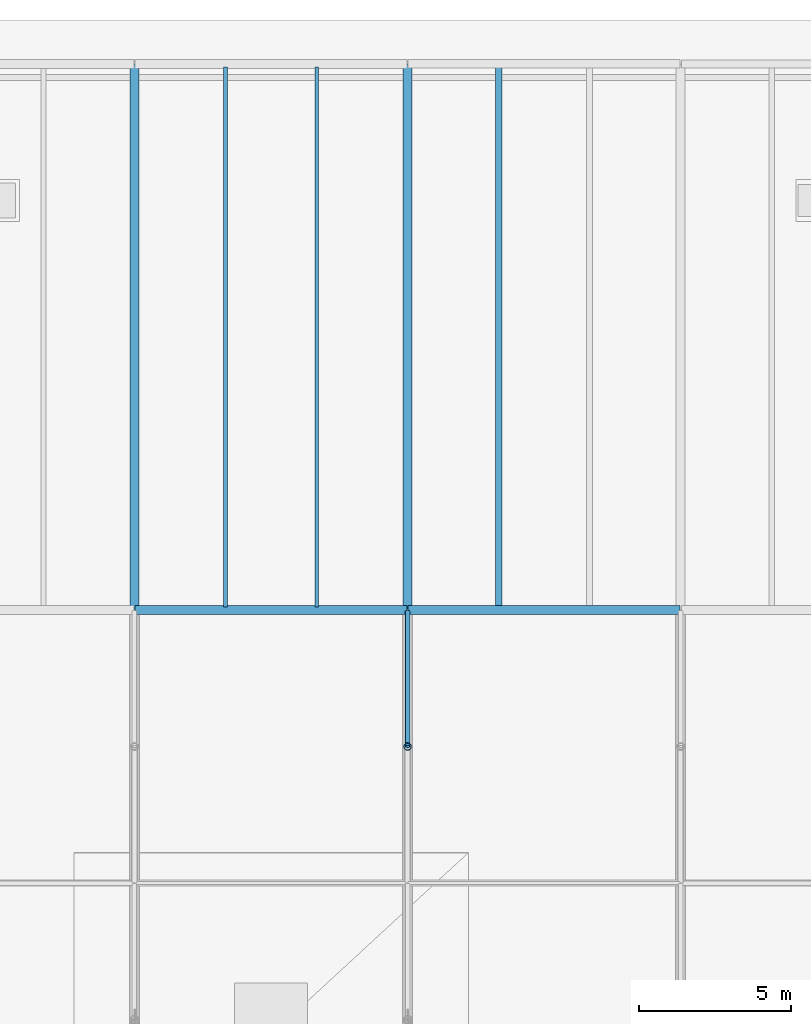
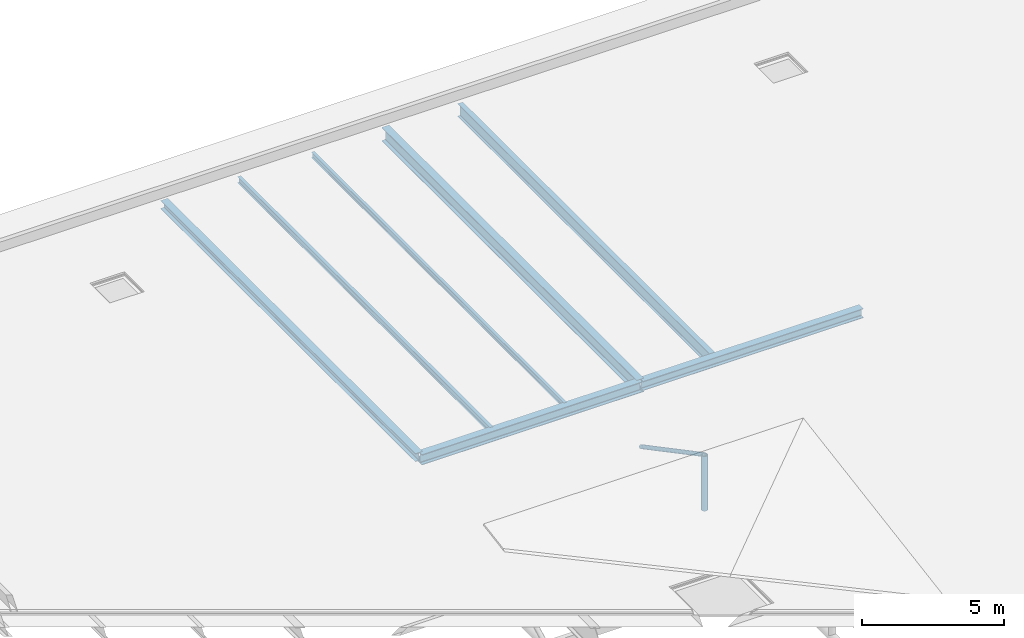
# One storey, part 68 of 196: 7 beams, 2 members.
"""IFC4 building model written with IfcOpenShell, lengths in metres."""

from ifc_helpers import new_model, si_unit, direction, frame, origin, origin_2d, place, context, subcontext, project, spatial, hollow_circle, i_section, extrude, material, material_profile, profile_set, type_object, element, save


model = new_model("IFC4")

# Units and contexts
model_context = context("Model", 3, precision=1e-05, world=origin(), true_north=direction((0.0, 1.0)))
body_context = subcontext(model_context, "Body", "Model", "MODEL_VIEW")
ifc_project = project(units=[si_unit("LENGTHUNIT", "METRE"), si_unit("AREAUNIT", "SQUARE_METRE"), si_unit("VOLUMEUNIT", "CUBIC_METRE"), si_unit("PLANEANGLEUNIT", "RADIAN"), si_unit("MASSUNIT", "GRAM", prefix="KILO")], contexts=[model_context])

# Site, building, storey
site_placement = place(None, origin())
site = spatial("IfcSite", under=ifc_project, at=site_placement, CompositionType="ELEMENT")
building_placement = place(site_placement, origin())
building = spatial("IfcBuilding", under=site, at=building_placement, Name="Barlavento Convention Centre", CompositionType="ELEMENT")
storey_placement = place(building_placement, frame((0.0, 0.0, 18.0)))
storey = spatial("IfcBuildingStorey", under=building, at=storey_placement, Name="L03", CompositionType="ELEMENT", Elevation=18.0)

# Beams
ifc_material = material(Name="Steel S355", Category="steel")
ifc_material_profile_1 = material_profile(ifc_material, i_section(OverallWidth=0.1201171875, OverallDepth=0.239990234375, WebThickness=0.006103515625, FlangeThickness=0.009765625, FilletRadius=0.014892578125, at=origin_2d()), Name="IPE 240")
ifc_profile_set_1 = profile_set([ifc_material_profile_1], Name="Steel S355")
beam_type_1 = type_object("IfcBeamType", Name="STR-BM-JST-IPE240", PredefinedType="JOIST", material=ifc_profile_set_1)
beam_1_placement = place(storey_placement, frame((24.0, 117.094970703125, -0.465087890625), z_axis=(0.0, 1.0, 0.0), x_axis=(-1.0, 0.0, 0.0)))
element("IfcBeam", 1, at=beam_1_placement, inside=storey, type_object=beam_type_1, Name="L03 composite floor joist SJ09", PredefinedType="JOIST", context=body_context, shape_type="SweptSolid", body=[
    extrude(i_section(OverallWidth=0.1201171875, OverallDepth=0.239990234375, WebThickness=0.006103515625, FlangeThickness=0.009765625, FilletRadius=0.014892578125, at=origin_2d()), origin(), (0.0, 0.0, 1.0), 17.81005859375),
])
ifc_material_profile_2 = material_profile(ifc_material, i_section(OverallWidth=0.135009765625, OverallDepth=0.27001953125, WebThickness=0.006591796875, FlangeThickness=0.01025390625, FilletRadius=0.014892578125, at=origin_2d()), Name="IPE 270")
ifc_profile_set_2 = profile_set([ifc_material_profile_2], Name="Steel S355")
beam_type_2 = type_object("IfcBeamType", Name="STR-BM-JST-IPE270", PredefinedType="JOIST", material=ifc_profile_set_2)
beam_2_placement = place(storey_placement, frame((21.0, 117.094970703125, -0.47998046875), z_axis=(0.0, 1.0, 0.0), x_axis=(-1.0, 0.0, 0.0)))
element("IfcBeam", 2, at=beam_2_placement, inside=storey, type_object=beam_type_2, Name="L03 composite floor joist SJ08", PredefinedType="JOIST", context=body_context, shape_type="SweptSolid", body=[
    extrude(i_section(OverallWidth=0.135009765625, OverallDepth=0.27001953125, WebThickness=0.006591796875, FlangeThickness=0.01025390625, FilletRadius=0.014892578125, at=origin_2d()), origin(), (0.0, 0.0, 1.0), 17.81005859375),
])
ifc_material_profile_3 = material_profile(ifc_material, i_section(OverallWidth=0.2099609375, OverallDepth=0.550048828125, WebThickness=0.010986328125, FlangeThickness=0.01708984375, FilletRadius=0.02392578125, at=origin_2d()), Name="IPE 550")
ifc_profile_set_3 = profile_set([ifc_material_profile_3], Name="Steel S355")
beam_type_3 = type_object("IfcBeamType", Name="STR-BM-JST-IPE550", PredefinedType="JOIST", material=ifc_profile_set_3)
beam_3_placement = place(storey_placement, frame((30.0, 117.094970703125, -0.6201171875), z_axis=(0.0, 1.0, 0.0), x_axis=(-1.0, 0.0, 0.0)))
element("IfcBeam", 3, at=beam_3_placement, inside=storey, type_object=beam_type_3, Name="L03 composite floor joist SJ01", PredefinedType="JOIST", context=body_context, shape_type="SweptSolid", body=[
    extrude(i_section(OverallWidth=0.2099609375, OverallDepth=0.550048828125, WebThickness=0.010986328125, FlangeThickness=0.01708984375, FilletRadius=0.02392578125, at=origin_2d()), origin(), (0.0, 0.0, 1.0), 17.81005859375),
])
ifc_material_profile_4 = material_profile(ifc_material, i_section(OverallWidth=0.300048828125, OverallDepth=0.35009765625, WebThickness=0.010009765625, FlangeThickness=0.017578125, FilletRadius=0.027099609375, at=origin_2d()), Name="HEA 360")
ifc_profile_set_4 = profile_set([ifc_material_profile_4], Name="Steel S355")
beam_type_4 = type_object("IfcBeamType", Name="STR-BM-PRI-HEA360", PredefinedType="BEAM", material=ifc_profile_set_4)
beam_4_placement = place(storey_placement, frame((18.0, 117.02001953125, -0.52001953125), z_axis=(0.0, 1.0, 0.0), x_axis=(-1.0, 0.0, 0.0)))
element("IfcBeam", 4, at=beam_4_placement, inside=storey, type_object=beam_type_4, Name="L03 grid girder BG23", PredefinedType="BEAM", context=body_context, shape_type="SweptSolid", body=[
    extrude(i_section(OverallWidth=0.300048828125, OverallDepth=0.35009765625, WebThickness=0.010009765625, FlangeThickness=0.017578125, FilletRadius=0.027099609375, at=origin_2d()), origin(), (0.0, 0.0, 1.0), 17.9599609375),
])
ifc_material_profile_5 = material_profile(ifc_material, i_section(OverallWidth=0.300048828125, OverallDepth=0.590087890625, WebThickness=0.012939453125, FlangeThickness=0.02490234375, FilletRadius=0.027099609375, at=origin_2d()), Name="HEA 600")
ifc_profile_set_5 = profile_set([ifc_material_profile_5], Name="Steel S355")
beam_type_5 = type_object("IfcBeamType", Name="STR-BM-PRI-HEA600", PredefinedType="BEAM", material=ifc_profile_set_5)
beam_5_placement = place(storey_placement, frame((27.0, 117.02001953125, -0.639892578125), z_axis=(0.0, 1.0, 0.0), x_axis=(-1.0, 0.0, 0.0)))
element("IfcBeam", 5, at=beam_5_placement, inside=storey, type_object=beam_type_5, Name="L03 grid girder BG18", PredefinedType="BEAM", context=body_context, shape_type="SweptSolid", body=[
    extrude(i_section(OverallWidth=0.300048828125, OverallDepth=0.590087890625, WebThickness=0.012939453125, FlangeThickness=0.02490234375, FilletRadius=0.027099609375, at=origin_2d()), origin(), (0.0, 0.0, 1.0), 17.9599609375),
])
ifc_material_profile_6 = material_profile(ifc_material, i_section(OverallWidth=0.300048828125, OverallDepth=0.39990234375, WebThickness=0.013427734375, FlangeThickness=0.02392578125, FilletRadius=0.027099609375, at=origin_2d()), Name="HEB 400")
ifc_profile_set_6 = profile_set([ifc_material_profile_6], Name="Steel S355")
beam_type_6 = type_object("IfcBeamType", Name="STR-BM-PRI-HEB400", PredefinedType="BEAM", material=ifc_profile_set_6)
beam_6_placement = place(storey_placement, frame((27.02001953125, 117.0, -0.544921875), z_axis=(1.0, 0.0, 0.0), x_axis=(0.0, 1.0, 0.0)))
element("IfcBeam", 6, at=beam_6_placement, inside=storey, type_object=beam_type_6, Name="L03 primary girder BG11", PredefinedType="BEAM", context=body_context, shape_type="SweptSolid", body=[
    extrude(i_section(OverallWidth=0.300048828125, OverallDepth=0.39990234375, WebThickness=0.013427734375, FlangeThickness=0.02392578125, FilletRadius=0.027099609375, at=origin_2d()), origin(), (0.0, 0.0, 1.0), 8.9599609375),
])
ifc_material_profile_7 = material_profile(ifc_material, i_section(OverallWidth=0.300048828125, OverallDepth=0.449951171875, WebThickness=0.013916015625, FlangeThickness=0.02587890625, FilletRadius=0.027099609375, at=origin_2d()), Name="HEB 450")
ifc_profile_set_7 = profile_set([ifc_material_profile_7], Name="Steel S355")
beam_type_7 = type_object("IfcBeamType", Name="STR-BM-PRI-HEB450", PredefinedType="BEAM", material=ifc_profile_set_7)
beam_7_placement = place(storey_placement, frame((18.02001953125, 117.0, -0.570068359375), z_axis=(1.0, 0.0, 0.0), x_axis=(0.0, 1.0, 0.0)))
element("IfcBeam", 7, at=beam_7_placement, inside=storey, type_object=beam_type_7, Name="L03 primary girder BG10", PredefinedType="BEAM", context=body_context, shape_type="SweptSolid", body=[
    extrude(i_section(OverallWidth=0.300048828125, OverallDepth=0.449951171875, WebThickness=0.013916015625, FlangeThickness=0.02587890625, FilletRadius=0.027099609375, at=origin_2d()), origin(), (0.0, 0.0, 1.0), 8.9599609375),
])

# Members
ifc_material_profile_8 = material_profile(ifc_material, hollow_circle(Radius=0.084228515625, WallThickness=0.010009765625, at=origin_2d()), Name="CHS 168.3x10.0")
ifc_profile_set_8 = profile_set([ifc_material_profile_8], Name="Steel S355")
member_type_1 = type_object("IfcMemberType", Name="STR-MEM-DIAG-CHS168", PredefinedType="POST", material=ifc_profile_set_8)
member_1_placement = place(storey_placement, frame((27.0, 112.5, -0.844970703125), z_axis=(0.0, 0.883859857229, -0.467751806816), x_axis=(-1.0, 0.0, 0.0)))
element("IfcMember", 8, at=member_1_placement, inside=storey, type_object=member_type_1, Name="Exhibition space frame web diagonal", PredefinedType="POST", context=body_context, shape_type="SweptSolid", body=[
    extrude(hollow_circle(Radius=0.084228515625, WallThickness=0.010009765625, at=origin_2d()), origin(), (0.0, 0.0, 1.0), 5.03466796875),
])
ifc_material_profile_9 = material_profile(ifc_material, hollow_circle(Radius=0.122314453125, WallThickness=0.012451171875, at=origin_2d()), Name="CHS 244.5x12.5")
ifc_profile_set_9 = profile_set([ifc_material_profile_9], Name="Steel S355")
member_type_2 = type_object("IfcMemberType", Name="STR-MEM-STRUT-CHS244", PredefinedType="STRUT", material=ifc_profile_set_9)
member_2_placement = place(storey_placement, frame((27.0, 112.5, -3.199951171875), z_axis=(0.0, 0.0, 1.0), x_axis=(1.0, 0.0, 0.0)))
element("IfcMember", 9, at=member_2_placement, inside=storey, type_object=member_type_2, Name="Exhibition space frame vertical strut", PredefinedType="STRUT", context=body_context, shape_type="SweptSolid", body=[
    extrude(hollow_circle(Radius=0.122314453125, WallThickness=0.012451171875, at=origin_2d()), origin(), (0.0, 0.0, 1.0), 2.35498046875),
])

save(model, "model.ifc")
